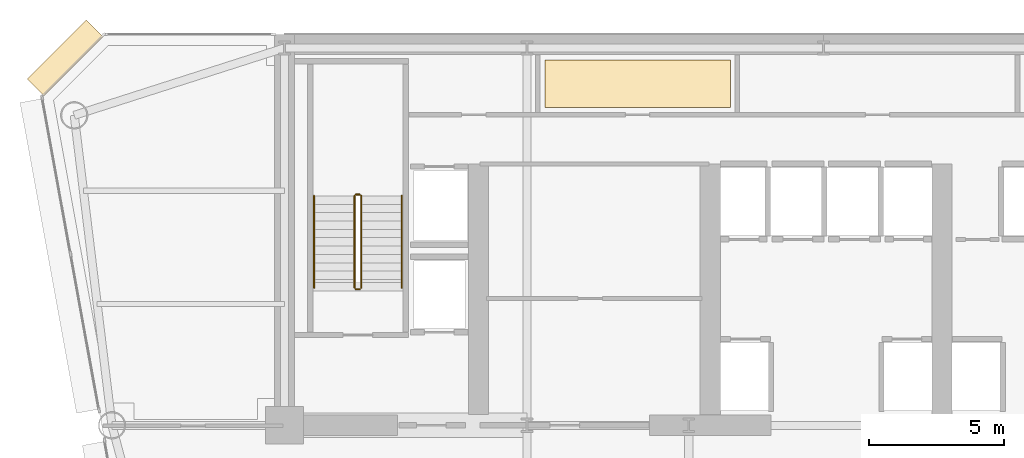
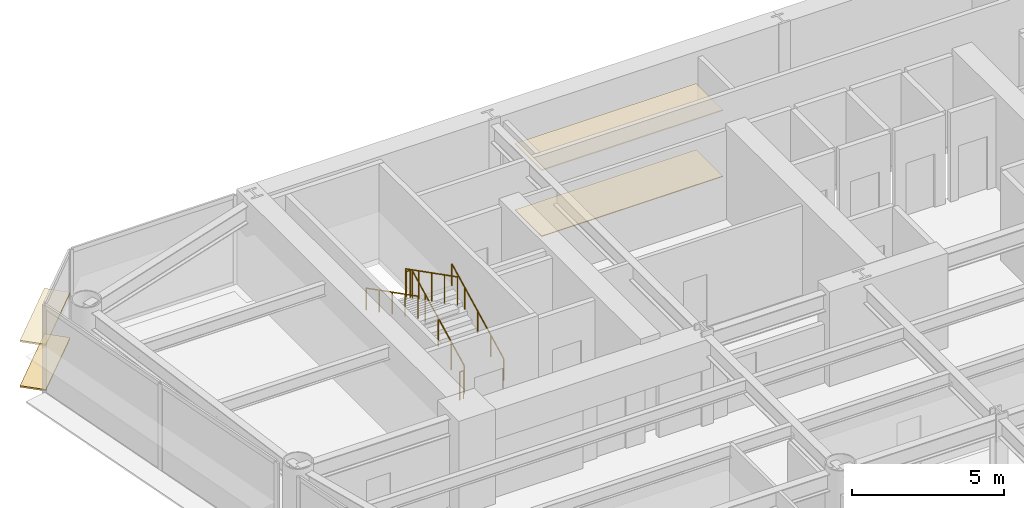
# One storey, part 12 of 14: 6 railings, 4 coverings.
"""IFC4 building model written with IfcOpenShell, lengths in metres."""

from ifc_helpers import new_model, si_unit, direction, frame, origin, origin_2d, place, context, subcontext, project, spatial, polyline, rectangle, circle, outline, extrude, source, transform, mapped, material, layer, layer_set, type_object, element, save


model = new_model("IFC4")

# Units and contexts
model_context = context("Model", 3, precision=1e-05, world=origin(), true_north=direction((0.0, 1.0)))
body_context = subcontext(model_context, "Body", "Model", "MODEL_VIEW")
ifc_project = project(units=[si_unit("LENGTHUNIT", "METRE"), si_unit("AREAUNIT", "SQUARE_METRE"), si_unit("VOLUMEUNIT", "CUBIC_METRE"), si_unit("PLANEANGLEUNIT", "RADIAN"), si_unit("MASSUNIT", "GRAM", prefix="KILO")], contexts=[model_context])

# Site, building, storey
site_placement = place(None, origin())
site = spatial("IfcSite", under=ifc_project, at=site_placement, CompositionType="ELEMENT")
building_placement = place(site_placement, origin())
building = spatial("IfcBuilding", under=site, at=building_placement, Name="Vaeldorn Concourse Tower", CompositionType="ELEMENT")
storey_placement = place(building_placement, frame((0.0, 0.0, 114.800048828125)))
storey = spatial("IfcBuildingStorey", under=building, at=storey_placement, Name="L29", CompositionType="ELEMENT", Elevation=114.800048828125)

# Coverings
ifc_material_1 = material(Name="Acoustic Mineral Fibre Board", Category="gypsum")
ifc_layer_1 = layer(ifc_material_1, 0.0400390625)
ifc_layer_set_1 = layer_set([ifc_layer_1], Name="Acoustic Mineral Fibre Board")
covering_type_1 = type_object("IfcCoveringType", Name="COV-CEIL-ACOUSTIC", PredefinedType="CEILING", material=ifc_layer_set_1)
covering_1_placement = place(storey_placement, frame((0.0, 0.0, 2.64990234375)))
element("IfcCovering", 1, at=covering_1_placement, inside=storey, type_object=covering_type_1, Name="Suspended Acoustic Ceiling L29-2", PredefinedType="CEILING", context=body_context, shape_type="SweptSolid", body=[
    extrude(outline(polyline([(30.5400390625, 50.050048828125), (30.5400390625, 48.300048828125), (23.659912109375, 48.300048828125), (23.659912109375, 50.050048828125), (30.5400390625, 50.050048828125)])), origin(), (0.0, 0.0, 1.0), 0.0400390625),
])
ifc_material_2 = material(Name="Honed Limestone Terrazzo Flooring", Category="masonry")
ifc_layer_2 = layer(ifc_material_2, 0.0400390625)
ifc_layer_set_2 = layer_set([ifc_layer_2], Name="Honed Limestone Terrazzo Flooring")
covering_type_2 = type_object("IfcCoveringType", Name="COV-FLOOR-STONE", PredefinedType="FLOORING", material=ifc_layer_set_2)
covering_2_placement = place(storey_placement, origin())
element("IfcCovering", 2, at=covering_2_placement, inside=storey, type_object=covering_type_2, Name="Floor Finish Covering L29-2", PredefinedType="FLOORING", context=body_context, shape_type="SweptSolid", body=[
    extrude(outline(polyline([(30.5400390625, 50.050048828125), (30.5400390625, 48.300048828125), (23.659912109375, 48.300048828125), (23.659912109375, 50.050048828125), (30.5400390625, 50.050048828125)])), origin(), (0.0, 0.0, 1.0), 0.030029296875),
])

# Railings
ifc_material_3 = material(Name="Anodised Bronze Aluminium", Category="aluminium")
railing_type_1 = type_object("IfcRailingType", Name="RL-STAIR-GUARD", PredefinedType="GUARDRAIL", material=ifc_material_3)
railing_1_placement = place(storey_placement, frame((16.85009765625, 41.60009765625, 0.158203125)))
element("IfcRailing", 3, at=railing_1_placement, inside=storey, type_object=railing_type_1, Name="L29 ST-1 stair guard 1", PredefinedType="GUARDRAIL", context=body_context, shape_type="SweptSolid", body=[
    extrude(circle(Radius=0.02392578125, at=origin_2d()), frame((0.0, 0.0, 1.1259765625), z_axis=(0.0, 0.890555807335, 0.454873997962), x_axis=(-1.0, 0.0, 0.0)), (0.0, 0.0, 1.0), 3.828857421875),
    extrude(circle(Radius=0.02099609375, at=origin_2d()), origin(), (0.0, 0.0, 1.0), 1.101806640625),
    extrude(circle(Radius=0.02099609375, at=origin_2d()), frame((0.0, 0.8525390625, 0.435546875)), (0.0, 0.0, 1.0), 1.101806640625),
    extrude(circle(Radius=0.02099609375, at=origin_2d()), frame((0.0, 1.705078125, 0.870849609375)), (0.0, 0.0, 1.0), 1.101806640625),
    extrude(circle(Radius=0.02099609375, at=origin_2d()), frame((0.0, 2.557373046875, 1.30615234375)), (0.0, 0.0, 1.0), 1.101806640625),
    extrude(circle(Radius=0.02099609375, at=origin_2d()), frame((0.0, 3.409912109375, 1.74169921875)), (0.0, 0.0, 1.0), 1.101806640625),
])
railing_2_placement = place(storey_placement, frame((16.800048828125, 45.06005859375, 1.89990234375)))
element("IfcRailing", 4, at=railing_2_placement, inside=storey, type_object=railing_type_1, Name="L29 ST-1 stair guard 2", PredefinedType="GUARDRAIL", context=body_context, shape_type="SweptSolid", body=[
    extrude(circle(Radius=0.02392578125, at=origin_2d()), frame((0.0, 0.0, 1.1259765625), z_axis=(-1.0, 0.0, 0.0), x_axis=(0.0, -1.0, 0.0)), (0.0, 0.0, 1.0), 0.150146484375),
    extrude(circle(Radius=0.02099609375, at=origin_2d()), origin(), (0.0, 0.0, 1.0), 1.101806640625),
    extrude(circle(Radius=0.02099609375, at=origin_2d()), frame((-0.150146484375, 0.0, 0.0)), (0.0, 0.0, 1.0), 1.101806640625),
])
railing_3_placement = place(storey_placement, frame((16.60009765625, 45.010009765625, 2.058349609375)))
element("IfcRailing", 5, at=railing_3_placement, inside=storey, type_object=railing_type_1, Name="L29 ST-1 stair guard 3", PredefinedType="GUARDRAIL", context=body_context, shape_type="SweptSolid", body=[
    extrude(circle(Radius=0.02392578125, at=origin_2d()), frame((0.0, 0.0, 1.1259765625), z_axis=(0.0, -0.890555807335, 0.454873997962), x_axis=(1.0, 0.0, 0.0)), (0.0, 0.0, 1.0), 3.828857421875),
    extrude(circle(Radius=0.02099609375, at=origin_2d()), origin(), (0.0, 0.0, 1.0), 1.101806640625),
    extrude(circle(Radius=0.02099609375, at=origin_2d()), frame((0.0, -0.8525390625, 0.435546875)), (0.0, 0.0, 1.0), 1.101806640625),
    extrude(circle(Radius=0.02099609375, at=origin_2d()), frame((0.0, -1.705078125, 0.870849609375)), (0.0, 0.0, 1.0), 1.101806640625),
    extrude(circle(Radius=0.02099609375, at=origin_2d()), frame((0.0, -2.557373046875, 1.30615234375)), (0.0, 0.0, 1.0), 1.101806640625),
    extrude(circle(Radius=0.02099609375, at=origin_2d()), frame((0.0, -3.409912109375, 1.74169921875)), (0.0, 0.0, 1.0), 1.101806640625),
])
railing_4_placement = place(storey_placement, frame((16.800048828125, 41.550048828125, 0.0)))
element("IfcRailing", 6, at=railing_4_placement, inside=storey, type_object=railing_type_1, Name="L29 ST-1 stair guard 4", PredefinedType="GUARDRAIL", context=body_context, shape_type="SweptSolid", body=[
    extrude(circle(Radius=0.02392578125, at=origin_2d()), frame((0.0, 0.0, 1.1259765625), z_axis=(-1.0, 0.0, 0.0), x_axis=(0.0, -1.0, 0.0)), (0.0, 0.0, 1.0), 0.150146484375),
    extrude(circle(Radius=0.02099609375, at=origin_2d()), origin(), (0.0, 0.0, 1.0), 1.101806640625),
    extrude(circle(Radius=0.02099609375, at=origin_2d()), frame((-0.150146484375, 0.0, 0.0)), (0.0, 0.0, 1.0), 1.101806640625),
])
railing_type_2 = type_object("IfcRailingType", Name="RL-STAIR-HANDRAIL", PredefinedType="HANDRAIL", material=ifc_material_3)
railing_5_placement = place(storey_placement, frame((18.35009765625, 41.60009765625, 0.158203125)))
element("IfcRailing", 7, at=railing_5_placement, inside=storey, type_object=railing_type_2, Name="L29 ST-1 stair handrail 1", PredefinedType="HANDRAIL", context=body_context, shape_type="SweptSolid", body=[
    extrude(circle(Radius=0.02392578125, at=origin_2d()), frame((0.0, 0.0, 0.8759765625), z_axis=(0.0, 0.890555807335, 0.454873997962), x_axis=(-1.0, 0.0, 0.0)), (0.0, 0.0, 1.0), 3.828857421875),
    extrude(circle(Radius=0.02099609375, at=origin_2d()), origin(), (0.0, 0.0, 1.0), 0.851806640625),
    extrude(circle(Radius=0.02099609375, at=origin_2d()), frame((0.0, 0.8525390625, 0.435546875)), (0.0, 0.0, 1.0), 0.851806640625),
    extrude(circle(Radius=0.02099609375, at=origin_2d()), frame((0.0, 1.705078125, 0.870849609375)), (0.0, 0.0, 1.0), 0.851806640625),
    extrude(circle(Radius=0.02099609375, at=origin_2d()), frame((0.0, 2.557373046875, 1.30615234375)), (0.0, 0.0, 1.0), 0.851806640625),
    extrude(circle(Radius=0.02099609375, at=origin_2d()), frame((0.0, 3.409912109375, 1.74169921875)), (0.0, 0.0, 1.0), 0.851806640625),
])
railing_6_placement = place(storey_placement, frame((15.10009765625, 45.010009765625, 2.058349609375)))
element("IfcRailing", 8, at=railing_6_placement, inside=storey, type_object=railing_type_2, Name="L29 ST-1 stair handrail 2", PredefinedType="HANDRAIL", context=body_context, shape_type="SweptSolid", body=[
    extrude(circle(Radius=0.02392578125, at=origin_2d()), frame((0.0, 0.0, 0.8759765625), z_axis=(0.0, -0.890555807335, 0.454873997962), x_axis=(1.0, 0.0, 0.0)), (0.0, 0.0, 1.0), 3.828857421875),
    extrude(circle(Radius=0.02099609375, at=origin_2d()), origin(), (0.0, 0.0, 1.0), 0.851806640625),
    extrude(circle(Radius=0.02099609375, at=origin_2d()), frame((0.0, -0.8525390625, 0.435546875)), (0.0, 0.0, 1.0), 0.851806640625),
    extrude(circle(Radius=0.02099609375, at=origin_2d()), frame((0.0, -1.705078125, 0.870849609375)), (0.0, 0.0, 1.0), 0.851806640625),
    extrude(circle(Radius=0.02099609375, at=origin_2d()), frame((0.0, -2.557373046875, 1.30615234375)), (0.0, 0.0, 1.0), 0.851806640625),
    extrude(circle(Radius=0.02099609375, at=origin_2d()), frame((0.0, -3.409912109375, 1.74169921875)), (0.0, 0.0, 1.0), 0.851806640625),
])

# Coverings
ifc_layer_3 = layer(ifc_material_3, 0.06494140625)
ifc_layer_set_3 = layer_set([ifc_layer_3], Name="Anodised Bronze Aluminium")
covering_type_3 = type_object("IfcCoveringType", Name="SD-BRONZE-SUNSHADE", PredefinedType="USERDEFINED", material=ifc_layer_set_3)
shared_shape = source(origin(), body_context, "Body", "SweptSolid", [
    extrude(rectangle(XDim=3.0927734375, YDim=0.8798828125, at=origin_2d()), origin(), (0.0, 0.0, 1.0), 0.06494140625),
])
for number, where, z_axis, x_axis, name in (
    (9, (5.8671875, 50.1328125, 0.04736328125), (0.0, 0.0, 1.0), (-0.707106781187, -0.707106781187, 0.0), "Horizontal Bronze Sunshade L29-E10.1.1"),
    (10, (5.8671875, 50.1328125, 1.867431640625), (0.0, 0.0, 1.0), (-0.707106781187, -0.707106781187, 0.0), "Horizontal Bronze Sunshade L29-E10.1.2"),
):
    element("IfcCovering", number, at=place(storey_placement, frame(where, z_axis=z_axis, x_axis=x_axis)), inside=storey, type_object=covering_type_3, Name=name, ObjectType="SUNSHADE", PredefinedType="USERDEFINED", context=body_context, shape_type="MappedRepresentation", body=[
        mapped(shared_shape, transform((0.0, 0.0, 0.0), scale=1.0)),
    ])

save(model, "model.ifc")
